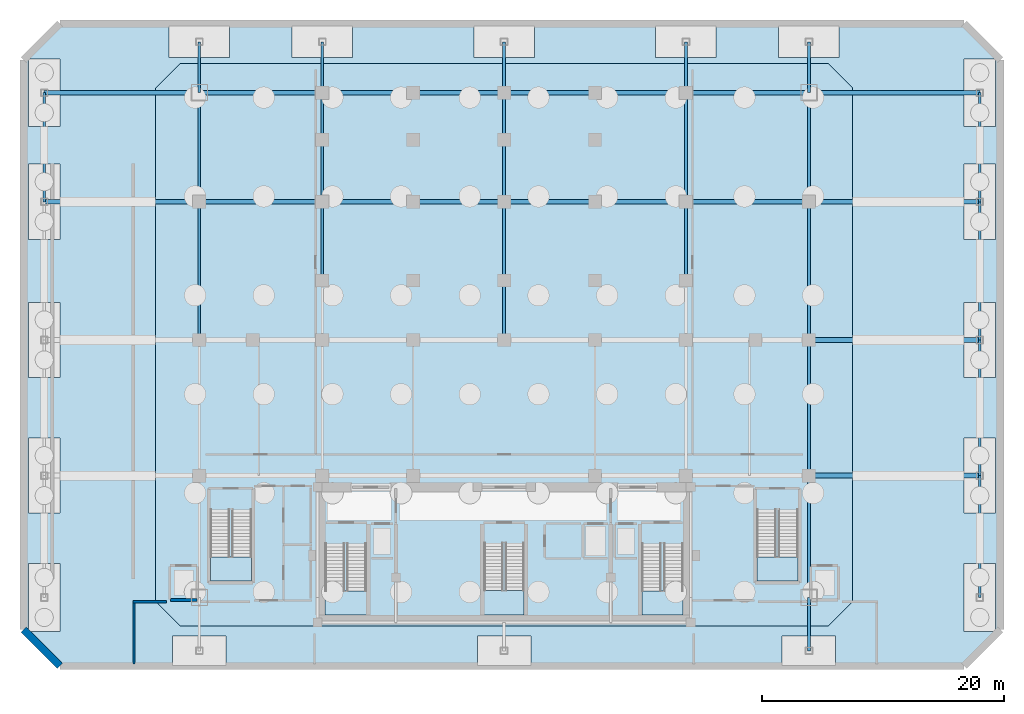
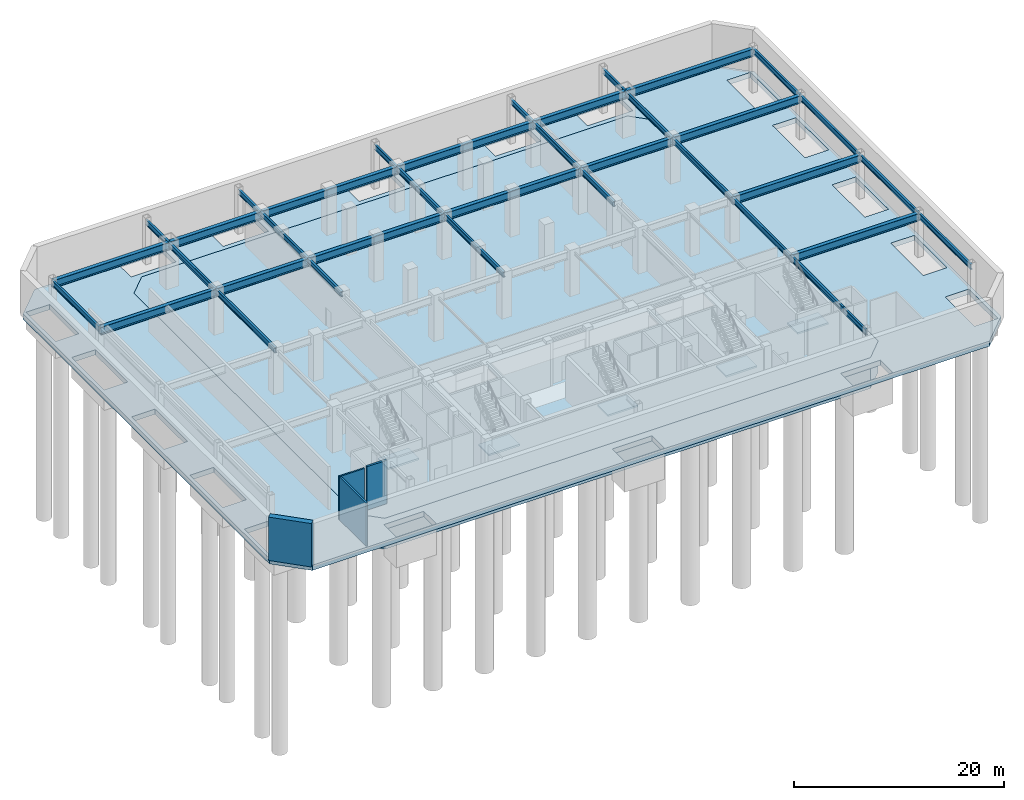
# One storey, part 3 of 10: 37 beams, 7 slabs, 4 walls, 5 elements without a shape of their own.
"""IFC4 building model written with IfcOpenShell, lengths in metres."""

from ifc_helpers import new_model, si_unit, direction, frame, frame_2d, origin, origin_2d, place, context, subcontext, project, spatial, polyline, rectangle, i_section, outline, extrude, material, layer, layer_set, material_profile, profile_set, type_object, element, aggregate, save


model = new_model("IFC4")

# Units and contexts
model_context = context("Model", 3, precision=1e-05, world=origin(), true_north=direction((0.0, 1.0)))
body_context = subcontext(model_context, "Body", "Model", "MODEL_VIEW")
ifc_project = project(units=[si_unit("LENGTHUNIT", "METRE"), si_unit("AREAUNIT", "SQUARE_METRE"), si_unit("VOLUMEUNIT", "CUBIC_METRE"), si_unit("PLANEANGLEUNIT", "RADIAN"), si_unit("MASSUNIT", "GRAM", prefix="KILO")], contexts=[model_context])

# Site, building, storey
site_placement = place(None, origin())
site = spatial("IfcSite", under=ifc_project, at=site_placement, CompositionType="ELEMENT")
building_placement = place(site_placement, origin())
building = spatial("IfcBuilding", under=site, at=building_placement, Name="Ventersveld Concourse Tower", CompositionType="ELEMENT")
storey_placement = place(building_placement, frame((0.0, 0.0, -10.800048828125)))
storey = spatial("IfcBuildingStorey", under=building, at=storey_placement, Name="B02", CompositionType="ELEMENT", Elevation=-10.800048828125)

# Beams
ifc_material_1 = material(Name="Structural steel S355J2", Category="steel")
ifc_material_profile_1 = material_profile(ifc_material_1, i_section(OverallWidth=0.39990234375, OverallDepth=0.89990234375, WebThickness=0.02197265625, FlangeThickness=0.035888671875, at=origin_2d()), Name="PG 900x400x36")
ifc_profile_set_1 = profile_set([ifc_material_profile_1], Name="Structural steel S355J2")
beam_type_1 = type_object("IfcBeamType", Name="GRD-PG900", PredefinedType="USERDEFINED", material=ifc_profile_set_1)
for number, where, z_axis, x_axis, name in (
    (1, (53.89990234375, 12.39990234375, 4.60009765625), (1.0, 0.0, 0.0), (0.0, 1.0, 0.0), "B02 Podium Primary Girder Y=12.4m"),
    (2, (53.89990234375, 23.60009765625, 4.60009765625), (1.0, 0.0, 0.0), (0.0, 1.0, 0.0), "B02 Podium Primary Girder Y=23.6m"),
):
    element("IfcBeam", number, at=place(storey_placement, frame(where, z_axis=z_axis, x_axis=x_axis)), inside=storey, type_object=beam_type_1, Name=name, ObjectType="GIRDER", PredefinedType="USERDEFINED", context=body_context, shape_type="SweptSolid", body=[
        extrude(i_section(OverallWidth=0.39990234375, OverallDepth=0.89990234375, WebThickness=0.02197265625, FlangeThickness=0.035888671875, at=origin_2d()), origin(), (0.0, 0.0, 1.0), 14.10009765625),
    ])
beam_1_placement = place(storey_placement, frame((-9.199951171875, 35.0, 4.60009765625), z_axis=(1.0, 0.0, 0.0), x_axis=(0.0, 1.0, 0.0)))
element("IfcBeam", 3, at=beam_1_placement, inside=storey, type_object=beam_type_1, Name="B02 Podium Primary Girder Y=35.0m", ObjectType="GIRDER", PredefinedType="USERDEFINED", context=body_context, shape_type="SweptSolid", body=[
    extrude(i_section(OverallWidth=0.39990234375, OverallDepth=0.89990234375, WebThickness=0.02197265625, FlangeThickness=0.035888671875, at=origin_2d()), origin(), (0.0, 0.0, 1.0), 12.800048828125),
])
beam_2_placement = place(storey_placement, frame((3.60009765625, 35.0, 4.60009765625), z_axis=(1.0, 0.0, 0.0), x_axis=(0.0, 1.0, 0.0)))
element("IfcBeam", 4, at=beam_2_placement, inside=storey, type_object=beam_type_1, Name="B02 Podium Primary Girder Y=35.0m", ObjectType="GIRDER", PredefinedType="USERDEFINED", context=body_context, shape_type="SweptSolid", body=[
    extrude(i_section(OverallWidth=0.39990234375, OverallDepth=0.89990234375, WebThickness=0.02197265625, FlangeThickness=0.035888671875, at=origin_2d()), origin(), (0.0, 0.0, 1.0), 10.14990234375),
])
for number, where, z_axis, x_axis, name in (
    (5, (13.75, 35.0, 4.60009765625), (1.0, 0.0, 0.0), (0.0, 1.0, 0.0), "B02 Podium Primary Girder Y=35.0m"),
    (6, (28.75, 35.0, 4.60009765625), (1.0, 0.0, 0.0), (0.0, 1.0, 0.0), "B02 Podium Primary Girder Y=35.0m"),
):
    element("IfcBeam", number, at=place(storey_placement, frame(where, z_axis=z_axis, x_axis=x_axis)), inside=storey, type_object=beam_type_1, Name=name, ObjectType="GIRDER", PredefinedType="USERDEFINED", context=body_context, shape_type="SweptSolid", body=[
        extrude(i_section(OverallWidth=0.39990234375, OverallDepth=0.89990234375, WebThickness=0.02197265625, FlangeThickness=0.035888671875, at=origin_2d()), origin(), (0.0, 0.0, 1.0), 15.0),
    ])
beam_3_placement = place(storey_placement, frame((43.75, 35.0, 4.60009765625), z_axis=(1.0, 0.0, 0.0), x_axis=(0.0, 1.0, 0.0)))
element("IfcBeam", 7, at=beam_3_placement, inside=storey, type_object=beam_type_1, Name="B02 Podium Primary Girder Y=35.0m", ObjectType="GIRDER", PredefinedType="USERDEFINED", context=body_context, shape_type="SweptSolid", body=[
    extrude(i_section(OverallWidth=0.39990234375, OverallDepth=0.89990234375, WebThickness=0.02197265625, FlangeThickness=0.035888671875, at=origin_2d()), origin(), (0.0, 0.0, 1.0), 10.14990234375),
])
beam_4_placement = place(storey_placement, frame((53.89990234375, 35.0, 4.60009765625), z_axis=(1.0, 0.0, 0.0), x_axis=(0.0, 1.0, 0.0)))
element("IfcBeam", 8, at=beam_4_placement, inside=storey, type_object=beam_type_1, Name="B02 Podium Primary Girder Y=35.0m", ObjectType="GIRDER", PredefinedType="USERDEFINED", context=body_context, shape_type="SweptSolid", body=[
    extrude(i_section(OverallWidth=0.39990234375, OverallDepth=0.89990234375, WebThickness=0.02197265625, FlangeThickness=0.035888671875, at=origin_2d()), origin(), (0.0, 0.0, 1.0), 14.10009765625),
])
beam_5_placement = place(storey_placement, frame((-9.199951171875, 44.0, 4.60009765625), z_axis=(1.0, 0.0, 0.0), x_axis=(0.0, 1.0, 0.0)))
element("IfcBeam", 9, at=beam_5_placement, inside=storey, type_object=beam_type_1, Name="B02 Podium Primary Girder Y=44.0m", ObjectType="GIRDER", PredefinedType="USERDEFINED", context=body_context, shape_type="SweptSolid", body=[
    extrude(i_section(OverallWidth=0.39990234375, OverallDepth=0.89990234375, WebThickness=0.02197265625, FlangeThickness=0.035888671875, at=origin_2d()), origin(), (0.0, 0.0, 1.0), 12.800048828125),
])
beam_6_placement = place(storey_placement, frame((3.60009765625, 44.0, 4.60009765625), z_axis=(1.0, 0.0, 0.0), x_axis=(0.0, 1.0, 0.0)))
element("IfcBeam", 10, at=beam_6_placement, inside=storey, type_object=beam_type_1, Name="B02 Podium Primary Girder Y=44.0m", ObjectType="GIRDER", PredefinedType="USERDEFINED", context=body_context, shape_type="SweptSolid", body=[
    extrude(i_section(OverallWidth=0.39990234375, OverallDepth=0.89990234375, WebThickness=0.02197265625, FlangeThickness=0.035888671875, at=origin_2d()), origin(), (0.0, 0.0, 1.0), 10.14990234375),
])
for number, where, z_axis, x_axis, name in (
    (11, (13.75, 44.0, 4.60009765625), (1.0, 0.0, 0.0), (0.0, 1.0, 0.0), "B02 Podium Primary Girder Y=44.0m"),
    (12, (28.75, 44.0, 4.60009765625), (1.0, 0.0, 0.0), (0.0, 1.0, 0.0), "B02 Podium Primary Girder Y=44.0m"),
):
    element("IfcBeam", number, at=place(storey_placement, frame(where, z_axis=z_axis, x_axis=x_axis)), inside=storey, type_object=beam_type_1, Name=name, ObjectType="GIRDER", PredefinedType="USERDEFINED", context=body_context, shape_type="SweptSolid", body=[
        extrude(i_section(OverallWidth=0.39990234375, OverallDepth=0.89990234375, WebThickness=0.02197265625, FlangeThickness=0.035888671875, at=origin_2d()), origin(), (0.0, 0.0, 1.0), 15.0),
    ])
beam_7_placement = place(storey_placement, frame((43.75, 44.0, 4.60009765625), z_axis=(1.0, 0.0, 0.0), x_axis=(0.0, 1.0, 0.0)))
element("IfcBeam", 13, at=beam_7_placement, inside=storey, type_object=beam_type_1, Name="B02 Podium Primary Girder Y=44.0m", ObjectType="GIRDER", PredefinedType="USERDEFINED", context=body_context, shape_type="SweptSolid", body=[
    extrude(i_section(OverallWidth=0.39990234375, OverallDepth=0.89990234375, WebThickness=0.02197265625, FlangeThickness=0.035888671875, at=origin_2d()), origin(), (0.0, 0.0, 1.0), 10.14990234375),
])
beam_8_placement = place(storey_placement, frame((53.89990234375, 44.0, 4.60009765625), z_axis=(1.0, 0.0, 0.0), x_axis=(0.0, 1.0, 0.0)))
element("IfcBeam", 14, at=beam_8_placement, inside=storey, type_object=beam_type_1, Name="B02 Podium Primary Girder Y=44.0m", ObjectType="GIRDER", PredefinedType="USERDEFINED", context=body_context, shape_type="SweptSolid", body=[
    extrude(i_section(OverallWidth=0.39990234375, OverallDepth=0.89990234375, WebThickness=0.02197265625, FlangeThickness=0.035888671875, at=origin_2d()), origin(), (0.0, 0.0, 1.0), 14.10009765625),
])
ifc_material_profile_2 = material_profile(ifc_material_1, i_section(OverallWidth=0.230224609375, OverallDepth=0.6171875, WebThickness=0.01318359375, FlangeThickness=0.022216796875, FilletRadius=0.0126953125, at=origin_2d()), Name="UB 610x229x140")
ifc_profile_set_2 = profile_set([ifc_material_profile_2], Name="Structural steel S355J2")
beam_type_2 = type_object("IfcBeamType", Name="GRD-UB610", PredefinedType="USERDEFINED", material=ifc_profile_set_2)
beam_9_placement = place(storey_placement, frame((-9.199951171875, 35.0, 4.741455078125), z_axis=(0.0, 1.0, 0.0), x_axis=(-1.0, 0.0, 0.0)))
element("IfcBeam", 15, at=beam_9_placement, inside=storey, type_object=beam_type_2, Name="B02 Podium N-S Girder X=-9.20m", ObjectType="GIRDER", PredefinedType="USERDEFINED", context=body_context, shape_type="SweptSolid", body=[
    extrude(i_section(OverallWidth=0.230224609375, OverallDepth=0.6171875, WebThickness=0.01318359375, FlangeThickness=0.022216796875, FilletRadius=0.0126953125, at=origin_2d()), origin(), (0.0, 0.0, 1.0), 9.0),
])
beam_10_placement = place(storey_placement, frame((3.60009765625, 23.60009765625, 4.741455078125), z_axis=(0.0, 1.0, 0.0), x_axis=(-1.0, 0.0, 0.0)))
element("IfcBeam", 16, at=beam_10_placement, inside=storey, type_object=beam_type_2, Name="B02 Podium N-S Girder X=3.60m", ObjectType="GIRDER", PredefinedType="USERDEFINED", context=body_context, shape_type="SweptSolid", body=[
    extrude(i_section(OverallWidth=0.230224609375, OverallDepth=0.6171875, WebThickness=0.01318359375, FlangeThickness=0.022216796875, FilletRadius=0.0126953125, at=origin_2d()), origin(), (0.0, 0.0, 1.0), 11.39990234375),
])
beam_11_placement = place(storey_placement, frame((3.60009765625, 35.0, 4.741455078125), z_axis=(0.0, 1.0, 0.0), x_axis=(-1.0, 0.0, 0.0)))
element("IfcBeam", 17, at=beam_11_placement, inside=storey, type_object=beam_type_2, Name="B02 Podium N-S Girder X=3.60m", ObjectType="GIRDER", PredefinedType="USERDEFINED", context=body_context, shape_type="SweptSolid", body=[
    extrude(i_section(OverallWidth=0.230224609375, OverallDepth=0.6171875, WebThickness=0.01318359375, FlangeThickness=0.022216796875, FilletRadius=0.0126953125, at=origin_2d()), origin(), (0.0, 0.0, 1.0), 9.0),
])
beam_12_placement = place(storey_placement, frame((3.60009765625, 44.0, 4.741455078125), z_axis=(0.0, 1.0, 0.0), x_axis=(-1.0, 0.0, 0.0)))
element("IfcBeam", 18, at=beam_12_placement, inside=storey, type_object=beam_type_2, Name="B02 Podium N-S Girder X=3.60m", ObjectType="GIRDER", PredefinedType="USERDEFINED", context=body_context, shape_type="SweptSolid", body=[
    extrude(i_section(OverallWidth=0.230224609375, OverallDepth=0.6171875, WebThickness=0.01318359375, FlangeThickness=0.022216796875, FilletRadius=0.0126953125, at=origin_2d()), origin(), (0.0, 0.0, 1.0), 4.199951171875),
])
beam_13_placement = place(storey_placement, frame((13.75, 28.5, 4.741455078125), z_axis=(0.0, 1.0, 0.0), x_axis=(-1.0, 0.0, 0.0)))
element("IfcBeam", 19, at=beam_13_placement, inside=storey, type_object=beam_type_2, Name="B02 Podium N-S Girder X=13.75m", ObjectType="GIRDER", PredefinedType="USERDEFINED", context=body_context, shape_type="SweptSolid", body=[
    extrude(i_section(OverallWidth=0.230224609375, OverallDepth=0.6171875, WebThickness=0.01318359375, FlangeThickness=0.022216796875, FilletRadius=0.0126953125, at=origin_2d()), origin(), (0.0, 0.0, 1.0), 6.5),
])
beam_14_placement = place(storey_placement, frame((13.75, 35.0, 4.741455078125), z_axis=(0.0, 1.0, 0.0), x_axis=(-1.0, 0.0, 0.0)))
element("IfcBeam", 20, at=beam_14_placement, inside=storey, type_object=beam_type_2, Name="B02 Podium N-S Girder X=13.75m", ObjectType="GIRDER", PredefinedType="USERDEFINED", context=body_context, shape_type="SweptSolid", body=[
    extrude(i_section(OverallWidth=0.230224609375, OverallDepth=0.6171875, WebThickness=0.01318359375, FlangeThickness=0.022216796875, FilletRadius=0.0126953125, at=origin_2d()), origin(), (0.0, 0.0, 1.0), 9.0),
])
beam_15_placement = place(storey_placement, frame((13.75, 44.0, 4.741455078125), z_axis=(0.0, 1.0, 0.0), x_axis=(-1.0, 0.0, 0.0)))
element("IfcBeam", 21, at=beam_15_placement, inside=storey, type_object=beam_type_2, Name="B02 Podium N-S Girder X=13.75m", ObjectType="GIRDER", PredefinedType="USERDEFINED", context=body_context, shape_type="SweptSolid", body=[
    extrude(i_section(OverallWidth=0.230224609375, OverallDepth=0.6171875, WebThickness=0.01318359375, FlangeThickness=0.022216796875, FilletRadius=0.0126953125, at=origin_2d()), origin(), (0.0, 0.0, 1.0), 4.199951171875),
])
beam_16_placement = place(storey_placement, frame((28.75, 23.60009765625, 4.741455078125), z_axis=(0.0, 1.0, 0.0), x_axis=(-1.0, 0.0, 0.0)))
element("IfcBeam", 22, at=beam_16_placement, inside=storey, type_object=beam_type_2, Name="B02 Podium N-S Girder X=28.75m", ObjectType="GIRDER", PredefinedType="USERDEFINED", context=body_context, shape_type="SweptSolid", body=[
    extrude(i_section(OverallWidth=0.230224609375, OverallDepth=0.6171875, WebThickness=0.01318359375, FlangeThickness=0.022216796875, FilletRadius=0.0126953125, at=origin_2d()), origin(), (0.0, 0.0, 1.0), 11.39990234375),
])
beam_17_placement = place(storey_placement, frame((28.75, 35.0, 4.741455078125), z_axis=(0.0, 1.0, 0.0), x_axis=(-1.0, 0.0, 0.0)))
element("IfcBeam", 23, at=beam_17_placement, inside=storey, type_object=beam_type_2, Name="B02 Podium N-S Girder X=28.75m", ObjectType="GIRDER", PredefinedType="USERDEFINED", context=body_context, shape_type="SweptSolid", body=[
    extrude(i_section(OverallWidth=0.230224609375, OverallDepth=0.6171875, WebThickness=0.01318359375, FlangeThickness=0.022216796875, FilletRadius=0.0126953125, at=origin_2d()), origin(), (0.0, 0.0, 1.0), 9.0),
])
beam_18_placement = place(storey_placement, frame((28.75, 44.0, 4.741455078125), z_axis=(0.0, 1.0, 0.0), x_axis=(-1.0, 0.0, 0.0)))
element("IfcBeam", 24, at=beam_18_placement, inside=storey, type_object=beam_type_2, Name="B02 Podium N-S Girder X=28.75m", ObjectType="GIRDER", PredefinedType="USERDEFINED", context=body_context, shape_type="SweptSolid", body=[
    extrude(i_section(OverallWidth=0.230224609375, OverallDepth=0.6171875, WebThickness=0.01318359375, FlangeThickness=0.022216796875, FilletRadius=0.0126953125, at=origin_2d()), origin(), (0.0, 0.0, 1.0), 4.199951171875),
])
beam_19_placement = place(storey_placement, frame((43.75, 28.5, 4.741455078125), z_axis=(0.0, 1.0, 0.0), x_axis=(-1.0, 0.0, 0.0)))
element("IfcBeam", 25, at=beam_19_placement, inside=storey, type_object=beam_type_2, Name="B02 Podium N-S Girder X=43.75m", ObjectType="GIRDER", PredefinedType="USERDEFINED", context=body_context, shape_type="SweptSolid", body=[
    extrude(i_section(OverallWidth=0.230224609375, OverallDepth=0.6171875, WebThickness=0.01318359375, FlangeThickness=0.022216796875, FilletRadius=0.0126953125, at=origin_2d()), origin(), (0.0, 0.0, 1.0), 6.5),
])
beam_20_placement = place(storey_placement, frame((43.75, 35.0, 4.741455078125), z_axis=(0.0, 1.0, 0.0), x_axis=(-1.0, 0.0, 0.0)))
element("IfcBeam", 26, at=beam_20_placement, inside=storey, type_object=beam_type_2, Name="B02 Podium N-S Girder X=43.75m", ObjectType="GIRDER", PredefinedType="USERDEFINED", context=body_context, shape_type="SweptSolid", body=[
    extrude(i_section(OverallWidth=0.230224609375, OverallDepth=0.6171875, WebThickness=0.01318359375, FlangeThickness=0.022216796875, FilletRadius=0.0126953125, at=origin_2d()), origin(), (0.0, 0.0, 1.0), 9.0),
])
beam_21_placement = place(storey_placement, frame((43.75, 44.0, 4.741455078125), z_axis=(0.0, 1.0, 0.0), x_axis=(-1.0, 0.0, 0.0)))
element("IfcBeam", 27, at=beam_21_placement, inside=storey, type_object=beam_type_2, Name="B02 Podium N-S Girder X=43.75m", ObjectType="GIRDER", PredefinedType="USERDEFINED", context=body_context, shape_type="SweptSolid", body=[
    extrude(i_section(OverallWidth=0.230224609375, OverallDepth=0.6171875, WebThickness=0.01318359375, FlangeThickness=0.022216796875, FilletRadius=0.0126953125, at=origin_2d()), origin(), (0.0, 0.0, 1.0), 4.199951171875),
])
beam_22_placement = place(storey_placement, frame((53.89990234375, -2.050048828125, 4.741455078125), z_axis=(0.0, 1.0, 0.0), x_axis=(-1.0, 0.0, 0.0)))
element("IfcBeam", 28, at=beam_22_placement, inside=storey, type_object=beam_type_2, Name="B02 Podium N-S Girder X=53.90m", ObjectType="GIRDER", PredefinedType="USERDEFINED", context=body_context, shape_type="SweptSolid", body=[
    extrude(i_section(OverallWidth=0.230224609375, OverallDepth=0.6171875, WebThickness=0.01318359375, FlangeThickness=0.022216796875, FilletRadius=0.0126953125, at=origin_2d()), origin(), (0.0, 0.0, 1.0), 4.400146484375),
])
beam_23_placement = place(storey_placement, frame((53.89990234375, 2.35009765625, 4.741455078125), z_axis=(0.0, 1.0, 0.0), x_axis=(-1.0, 0.0, 0.0)))
element("IfcBeam", 29, at=beam_23_placement, inside=storey, type_object=beam_type_2, Name="B02 Podium N-S Girder X=53.90m", ObjectType="GIRDER", PredefinedType="USERDEFINED", context=body_context, shape_type="SweptSolid", body=[
    extrude(i_section(OverallWidth=0.230224609375, OverallDepth=0.6171875, WebThickness=0.01318359375, FlangeThickness=0.022216796875, FilletRadius=0.0126953125, at=origin_2d()), origin(), (0.0, 0.0, 1.0), 10.0498046875),
])
beam_24_placement = place(storey_placement, frame((53.89990234375, 12.39990234375, 4.741455078125), z_axis=(0.0, 1.0, 0.0), x_axis=(-1.0, 0.0, 0.0)))
element("IfcBeam", 30, at=beam_24_placement, inside=storey, type_object=beam_type_2, Name="B02 Podium N-S Girder X=53.90m", ObjectType="GIRDER", PredefinedType="USERDEFINED", context=body_context, shape_type="SweptSolid", body=[
    extrude(i_section(OverallWidth=0.230224609375, OverallDepth=0.6171875, WebThickness=0.01318359375, FlangeThickness=0.022216796875, FilletRadius=0.0126953125, at=origin_2d()), origin(), (0.0, 0.0, 1.0), 11.2001953125),
])
beam_25_placement = place(storey_placement, frame((53.89990234375, 23.60009765625, 4.741455078125), z_axis=(0.0, 1.0, 0.0), x_axis=(-1.0, 0.0, 0.0)))
element("IfcBeam", 31, at=beam_25_placement, inside=storey, type_object=beam_type_2, Name="B02 Podium N-S Girder X=53.90m", ObjectType="GIRDER", PredefinedType="USERDEFINED", context=body_context, shape_type="SweptSolid", body=[
    extrude(i_section(OverallWidth=0.230224609375, OverallDepth=0.6171875, WebThickness=0.01318359375, FlangeThickness=0.022216796875, FilletRadius=0.0126953125, at=origin_2d()), origin(), (0.0, 0.0, 1.0), 11.39990234375),
])
beam_26_placement = place(storey_placement, frame((53.89990234375, 35.0, 4.741455078125), z_axis=(0.0, 1.0, 0.0), x_axis=(-1.0, 0.0, 0.0)))
element("IfcBeam", 32, at=beam_26_placement, inside=storey, type_object=beam_type_2, Name="B02 Podium N-S Girder X=53.90m", ObjectType="GIRDER", PredefinedType="USERDEFINED", context=body_context, shape_type="SweptSolid", body=[
    extrude(i_section(OverallWidth=0.230224609375, OverallDepth=0.6171875, WebThickness=0.01318359375, FlangeThickness=0.022216796875, FilletRadius=0.0126953125, at=origin_2d()), origin(), (0.0, 0.0, 1.0), 9.0),
])
beam_27_placement = place(storey_placement, frame((53.89990234375, 44.0, 4.741455078125), z_axis=(0.0, 1.0, 0.0), x_axis=(-1.0, 0.0, 0.0)))
element("IfcBeam", 33, at=beam_27_placement, inside=storey, type_object=beam_type_2, Name="B02 Podium N-S Girder X=53.90m", ObjectType="GIRDER", PredefinedType="USERDEFINED", context=body_context, shape_type="SweptSolid", body=[
    extrude(i_section(OverallWidth=0.230224609375, OverallDepth=0.6171875, WebThickness=0.01318359375, FlangeThickness=0.022216796875, FilletRadius=0.0126953125, at=origin_2d()), origin(), (0.0, 0.0, 1.0), 4.199951171875),
])
beam_28_placement = place(storey_placement, frame((68.0, 2.35009765625, 4.741455078125), z_axis=(0.0, 1.0, 0.0), x_axis=(-1.0, 0.0, 0.0)))
element("IfcBeam", 34, at=beam_28_placement, inside=storey, type_object=beam_type_2, Name="B02 Podium N-S Girder X=68.00m", ObjectType="GIRDER", PredefinedType="USERDEFINED", context=body_context, shape_type="SweptSolid", body=[
    extrude(i_section(OverallWidth=0.230224609375, OverallDepth=0.6171875, WebThickness=0.01318359375, FlangeThickness=0.022216796875, FilletRadius=0.0126953125, at=origin_2d()), origin(), (0.0, 0.0, 1.0), 10.0498046875),
])
beam_29_placement = place(storey_placement, frame((68.0, 12.39990234375, 4.741455078125), z_axis=(0.0, 1.0, 0.0), x_axis=(-1.0, 0.0, 0.0)))
element("IfcBeam", 35, at=beam_29_placement, inside=storey, type_object=beam_type_2, Name="B02 Podium N-S Girder X=68.00m", ObjectType="GIRDER", PredefinedType="USERDEFINED", context=body_context, shape_type="SweptSolid", body=[
    extrude(i_section(OverallWidth=0.230224609375, OverallDepth=0.6171875, WebThickness=0.01318359375, FlangeThickness=0.022216796875, FilletRadius=0.0126953125, at=origin_2d()), origin(), (0.0, 0.0, 1.0), 11.2001953125),
])
beam_30_placement = place(storey_placement, frame((68.0, 23.60009765625, 4.741455078125), z_axis=(0.0, 1.0, 0.0), x_axis=(-1.0, 0.0, 0.0)))
element("IfcBeam", 36, at=beam_30_placement, inside=storey, type_object=beam_type_2, Name="B02 Podium N-S Girder X=68.00m", ObjectType="GIRDER", PredefinedType="USERDEFINED", context=body_context, shape_type="SweptSolid", body=[
    extrude(i_section(OverallWidth=0.230224609375, OverallDepth=0.6171875, WebThickness=0.01318359375, FlangeThickness=0.022216796875, FilletRadius=0.0126953125, at=origin_2d()), origin(), (0.0, 0.0, 1.0), 11.39990234375),
])
beam_31_placement = place(storey_placement, frame((68.0, 35.0, 4.741455078125), z_axis=(0.0, 1.0, 0.0), x_axis=(-1.0, 0.0, 0.0)))
element("IfcBeam", 37, at=beam_31_placement, inside=storey, type_object=beam_type_2, Name="B02 Podium N-S Girder X=68.00m", ObjectType="GIRDER", PredefinedType="USERDEFINED", context=body_context, shape_type="SweptSolid", body=[
    extrude(i_section(OverallWidth=0.230224609375, OverallDepth=0.6171875, WebThickness=0.01318359375, FlangeThickness=0.022216796875, FilletRadius=0.0126953125, at=origin_2d()), origin(), (0.0, 0.0, 1.0), 9.0),
])

# Slab
ifc_material_2 = material(Name="Concrete C50/60", Category="concrete")
ifc_layer_1 = layer(ifc_material_2, 0.60009765625)
ifc_layer_set_1 = layer_set([ifc_layer_1], Name="Concrete C50/60")
slab_type_1 = type_object("IfcSlabType", Name="SL-BASE-600", PredefinedType="BASESLAB", material=ifc_layer_set_1)
slab_1_placement = place(storey_placement, frame((0.0, 0.0, -0.599853515625)))
element("IfcSlab", 38, at=slab_1_placement, inside=storey, type_object=slab_type_1, Name="B02 Outer Station Basement Base Slab 600", PredefinedType="BASESLAB", context=body_context, shape_type="SweptSolid", body=[
    extrude(outline(polyline([(-7.89990234375, -3.300048828125), (66.699951171875, -3.300048828125), (69.699951171875, -0.300048828125), (69.699951171875, 46.699951171875), (66.699951171875, 49.699951171875), (-7.89990234375, 49.699951171875), (-10.89990234375, 46.699951171875), (-10.89990234375, -0.300048828125), (-7.89990234375, -3.300048828125)]), holes=[polyline([(2.0, 0.0), (55.5, 0.0), (57.5, 2.0), (57.5, 44.39990234375), (55.5, 46.39990234375), (2.0, 46.39990234375), (0.0, 44.39990234375), (0.0, 2.0), (2.0, 0.0)]), polyline([(-10.5, -0.449951171875), (-7.89990234375, -0.449951171875), (-7.89990234375, 5.14990234375), (-10.5, 5.14990234375), (-10.5, -0.449951171875)]), polyline([(-10.5, 9.300048828125), (-7.89990234375, 9.300048828125), (-7.89990234375, 15.5), (-10.5, 15.5), (-10.5, 9.300048828125)]), polyline([(-10.5, 20.5), (-7.89990234375, 20.5), (-7.89990234375, 26.699951171875), (-10.5, 26.699951171875), (-10.5, 20.5)]), polyline([(-10.5, 31.89990234375), (-7.89990234375, 31.89990234375), (-7.89990234375, 38.10009765625), (-10.5, 38.10009765625), (-10.5, 31.89990234375)]), polyline([(-10.5, 41.199951171875), (-7.89990234375, 41.199951171875), (-7.89990234375, 46.800048828125), (-10.5, 46.800048828125), (-10.5, 41.199951171875)]), polyline([(66.699951171875, -0.449951171875), (69.300048828125, -0.449951171875), (69.300048828125, 5.14990234375), (66.699951171875, 5.14990234375), (66.699951171875, -0.449951171875)]), polyline([(66.699951171875, 9.300048828125), (69.300048828125, 9.300048828125), (69.300048828125, 15.5), (66.699951171875, 15.5), (66.699951171875, 9.300048828125)]), polyline([(66.699951171875, 20.5), (69.300048828125, 20.5), (69.300048828125, 26.699951171875), (66.699951171875, 26.699951171875), (66.699951171875, 20.5)]), polyline([(66.699951171875, 31.89990234375), (69.300048828125, 31.89990234375), (69.300048828125, 38.10009765625), (66.699951171875, 38.10009765625), (66.699951171875, 31.89990234375)]), polyline([(66.699951171875, 41.199951171875), (69.300048828125, 41.199951171875), (69.300048828125, 46.800048828125), (66.699951171875, 46.800048828125), (66.699951171875, 41.199951171875)]), polyline([(1.10009765625, 46.89990234375), (6.10009765625, 46.89990234375), (6.10009765625, 49.5), (1.10009765625, 49.5), (1.10009765625, 46.89990234375)]), polyline([(11.25, 46.89990234375), (16.25, 46.89990234375), (16.25, 49.5), (11.25, 49.5), (11.25, 46.89990234375)]), polyline([(26.25, 46.89990234375), (31.25, 46.89990234375), (31.25, 49.5), (26.25, 49.5), (26.25, 46.89990234375)]), polyline([(41.25, 46.89990234375), (46.25, 46.89990234375), (46.25, 49.5), (41.25, 49.5), (41.25, 46.89990234375)]), polyline([(51.39990234375, 46.89990234375), (56.39990234375, 46.89990234375), (56.39990234375, 49.5), (51.39990234375, 49.5), (51.39990234375, 46.89990234375)]), polyline([(1.39990234375, -3.25), (5.800048828125, -3.25), (5.800048828125, -0.85009765625), (1.39990234375, -0.85009765625), (1.39990234375, -3.25)]), polyline([(26.550048828125, -3.25), (30.949951171875, -3.25), (30.949951171875, -0.85009765625), (26.550048828125, -0.85009765625), (26.550048828125, -3.25)]), polyline([(51.699951171875, -3.25), (56.10009765625, -3.25), (56.10009765625, -0.85009765625), (51.699951171875, -0.85009765625), (51.699951171875, -3.25)])]), origin(), (0.0, 0.0, 1.0), 0.599853515625),
])

# Stair, slab
stair_type_1 = type_object("IfcStairType", Name="ST-DOG-160", PredefinedType="HALF_TURN_STAIR", material=ifc_material_2)
stair_1_placement = place(storey_placement, origin())
stair_1 = element("IfcStair", 39, at=stair_1_placement, inside=storey, type_object=stair_type_1, Name="B02 Protected Tower Escape Stair ST-01", PredefinedType="HALF_TURN_STAIR")
ifc_layer_2 = layer(ifc_material_2, 0.199951171875)
ifc_layer_set_2 = layer_set([ifc_layer_2], Name="Concrete C50/60")
slab_type_2 = type_object("IfcSlabType", Name="SL-LND-200", PredefinedType="LANDING", material=ifc_layer_set_2)
slab_2_placement = place(storey_placement, frame((0.0, 0.0, 2.5)))
slab_2 = element("IfcSlab", 40, at=slab_2_placement, type_object=slab_type_2, Name="ST-01 landing 1", PredefinedType="LANDING", context=body_context, shape_type="SweptSolid", body=[
    extrude(outline(polyline([(13.97998046875, 2.8798828125), (13.97998046875, 0.89990234375), (17.3798828125, 0.89990234375), (17.3798828125, 2.8798828125), (13.97998046875, 2.8798828125)])), origin(), (0.0, 0.0, 1.0), 0.199951171875),
])
aggregate(stair_1, [slab_2])

stair_2_placement = place(storey_placement, origin())
stair_2 = element("IfcStair", 41, at=stair_2_placement, inside=storey, type_object=stair_type_1, Name="B02 Protected Tower Escape Stair ST-02", PredefinedType="HALF_TURN_STAIR")
slab_3_placement = place(storey_placement, frame((0.0, 0.0, 2.5)))
slab_3 = element("IfcSlab", 42, at=slab_3_placement, type_object=slab_type_2, Name="ST-02 landing 1", PredefinedType="LANDING", context=body_context, shape_type="SweptSolid", body=[
    extrude(outline(polyline([(40.1201171875, 2.8798828125), (40.1201171875, 0.89990234375), (43.52001953125, 0.89990234375), (43.52001953125, 2.8798828125), (40.1201171875, 2.8798828125)])), origin(), (0.0, 0.0, 1.0), 0.199951171875),
])
aggregate(stair_2, [slab_3])

stair_type_2 = type_object("IfcStairType", Name="ST-DOG-155", PredefinedType="HALF_TURN_STAIR", material=ifc_material_2)
stair_3_placement = place(storey_placement, origin())
stair_3 = element("IfcStair", 43, at=stair_3_placement, inside=storey, type_object=stair_type_2, Name="B02 Protected Central Core Escape Stair ST-03", PredefinedType="HALF_TURN_STAIR")
slab_4_placement = place(storey_placement, frame((0.0, 0.0, 2.5)))
slab_4 = element("IfcSlab", 44, at=slab_4_placement, type_object=slab_type_2, Name="ST-03 landing 1", PredefinedType="LANDING", context=body_context, shape_type="SweptSolid", body=[
    extrude(outline(polyline([(27.10009765625, 2.929931640625), (27.10009765625, 0.89990234375), (30.39990234375, 0.89990234375), (30.39990234375, 2.929931640625), (27.10009765625, 2.929931640625)])), origin(), (0.0, 0.0, 1.0), 0.199951171875),
])
aggregate(stair_3, [slab_4])

stair_4_placement = place(storey_placement, origin())
stair_4 = element("IfcStair", 45, at=stair_4_placement, inside=storey, type_object=stair_type_1, Name="B02 Station Concourse West Escape Stair ST-04", PredefinedType="HALF_TURN_STAIR")
slab_5_placement = place(storey_placement, frame((0.0, 0.0, 2.5)))
slab_5 = element("IfcSlab", 46, at=slab_5_placement, type_object=slab_type_2, Name="ST-04 landing 1", PredefinedType="LANDING", context=body_context, shape_type="SweptSolid", body=[
    extrude(outline(polyline([(4.5, 5.679931640625), (4.5, 3.699951171875), (7.89990234375, 3.699951171875), (7.89990234375, 5.679931640625), (4.5, 5.679931640625)])), origin(), (0.0, 0.0, 1.0), 0.199951171875),
])
aggregate(stair_4, [slab_5])

stair_5_placement = place(storey_placement, origin())
stair_5 = element("IfcStair", 47, at=stair_5_placement, inside=storey, type_object=stair_type_1, Name="B02 Station Concourse East Escape Stair ST-05", PredefinedType="HALF_TURN_STAIR")
slab_6_placement = place(storey_placement, frame((0.0, 0.0, 2.5)))
slab_6 = element("IfcSlab", 48, at=slab_6_placement, type_object=slab_type_2, Name="ST-05 landing 1", PredefinedType="LANDING", context=body_context, shape_type="SweptSolid", body=[
    extrude(outline(polyline([(49.60009765625, 5.679931640625), (49.60009765625, 3.699951171875), (53.0, 3.699951171875), (53.0, 5.679931640625), (49.60009765625, 5.679931640625)])), origin(), (0.0, 0.0, 1.0), 0.199951171875),
])
aggregate(stair_5, [slab_6])

# Slab
ifc_layer_3 = layer(ifc_material_2, 3.60009765625)
ifc_layer_set_3 = layer_set([ifc_layer_3], Name="Concrete C50/60")
slab_type_3 = type_object("IfcSlabType", Name="SL-RAFT-3600", PredefinedType="BASESLAB", material=ifc_layer_set_3)
slab_7_placement = place(storey_placement, frame((0.0, 0.0, -3.599853515625)))
element("IfcSlab", 49, at=slab_7_placement, inside=storey, type_object=slab_type_3, Name="B02 Central Tower Piled Raft 3600", PredefinedType="BASESLAB", context=body_context, shape_type="SweptSolid", body=[
    extrude(outline(polyline([(2.0, 0.0), (55.5, 0.0), (57.5, 2.0), (57.5, 44.39990234375), (55.5, 46.39990234375), (2.0, 46.39990234375), (0.0, 44.39990234375), (0.0, 2.0), (2.0, 0.0)])), origin(), (0.0, 0.0, 1.0), 3.599853515625),
])

# Walls
ifc_material_3 = material(Name="Fire-rated autoclaved aerated masonry blockwork", Category="masonry")
ifc_layer_4 = layer(ifc_material_3, 0.179931640625)
ifc_layer_set_4 = layer_set([ifc_layer_4], Name="Fire-rated autoclaved aerated masonry blockwork")
wall_type_1 = type_object("IfcWallType", Name="WL-CORR-180", PredefinedType="PARTITIONING", material=ifc_layer_set_4)
wall_1_placement = place(storey_placement, frame((0.8857421875, 2.0, 0.0), z_axis=(0.0, 0.0, 1.0), x_axis=(-1.0, 0.0, 0.0)))
element("IfcWall", 50, at=wall_1_placement, inside=storey, type_object=wall_type_1, Name="B02 Room Enclosure Wall SP-B02-PUMP", PredefinedType="PARTITIONING", context=body_context, shape_type="SweptSolid", body=[
    extrude(rectangle(XDim=2.78076171875, YDim=0.179931640625, at=frame_2d((1.390380859375, 0.0))), origin(), (0.0, 0.0, 1.0), 5.050048828125),
])
wall_2_placement = place(storey_placement, frame((-1.800048828125, 2.094970703125, 0.0), z_axis=(0.0, 0.0, 1.0), x_axis=(0.0, -1.0, 0.0)))
element("IfcWall", 51, at=wall_2_placement, inside=storey, type_object=wall_type_1, Name="B02 Room Enclosure Wall SP-B02-PUMP", PredefinedType="PARTITIONING", context=body_context, shape_type="SweptSolid", body=[
    extrude(rectangle(XDim=5.23486328125, YDim=0.179931640625, at=frame_2d((2.617431640625, 0.0))), origin(), (0.0, 0.0, 1.0), 5.050048828125),
])
ifc_layer_5 = layer(ifc_material_3, 0.219970703125)
ifc_layer_set_5 = layer_set([ifc_layer_5], Name="Fire-rated autoclaved aerated masonry blockwork")
wall_type_2 = type_object("IfcWallType", Name="WL-HOIST-220", PredefinedType="SOLIDWALL", material=ifc_layer_set_5)
wall_3_placement = place(storey_placement, frame((1.199951171875, 2.139892578125, 0.0), z_axis=(0.0, 0.0, 1.0), x_axis=(1.0, 0.0, 0.0)))
element("IfcWall", 52, at=wall_3_placement, inside=storey, type_object=wall_type_2, Name="B02 Lift Hoistway Back Wall SL-01", PredefinedType="SOLIDWALL", context=body_context, shape_type="SweptSolid", body=[
    extrude(rectangle(XDim=2.199951171875, YDim=0.219970703125, at=frame_2d((1.10009765625, 0.0))), origin(), (0.0, 0.0, 1.0), 5.050048828125),
])
ifc_layer_6 = layer(ifc_material_2, 0.60009765625)
ifc_layer_set_6 = layer_set([ifc_layer_6], Name="Concrete C50/60")
wall_type_3 = type_object("IfcWallType", Name="WL-RET-600", PredefinedType="SOLIDWALL", material=ifc_layer_set_6)
wall_4_placement = place(storey_placement, frame((-10.89990234375, -0.300048828125, 0.0), z_axis=(0.0, 0.0, 1.0), x_axis=(0.707106781187, -0.707106781187, 0.0)))
element("IfcWall", 53, at=wall_4_placement, inside=storey, type_object=wall_type_3, Name="B02 Basement Retaining Wall 08", PredefinedType="SOLIDWALL", context=body_context, shape_type="SweptSolid", body=[
    extrude(rectangle(XDim=4.24267578125, YDim=0.60009765625, at=frame_2d((2.121337890625, 0.0))), origin(), (0.0, 0.0, 1.0), 5.050048828125),
])

save(model, "model.ifc")
